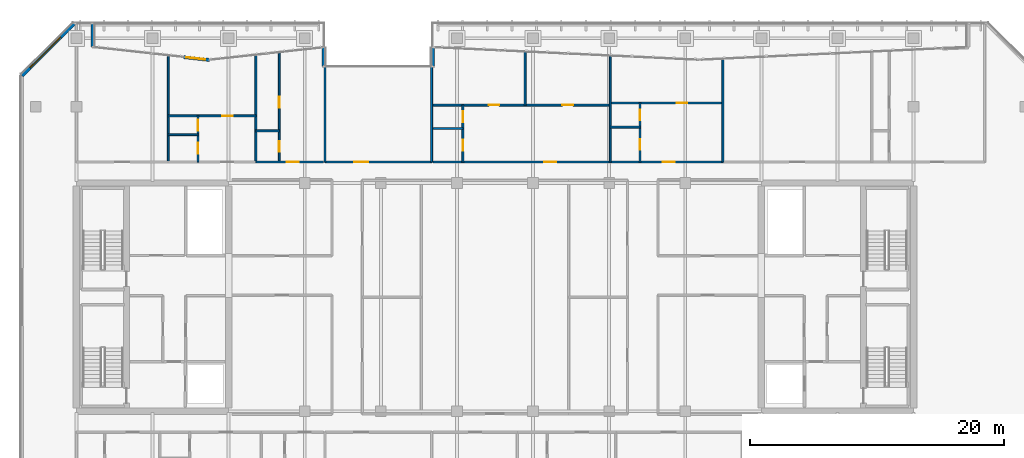
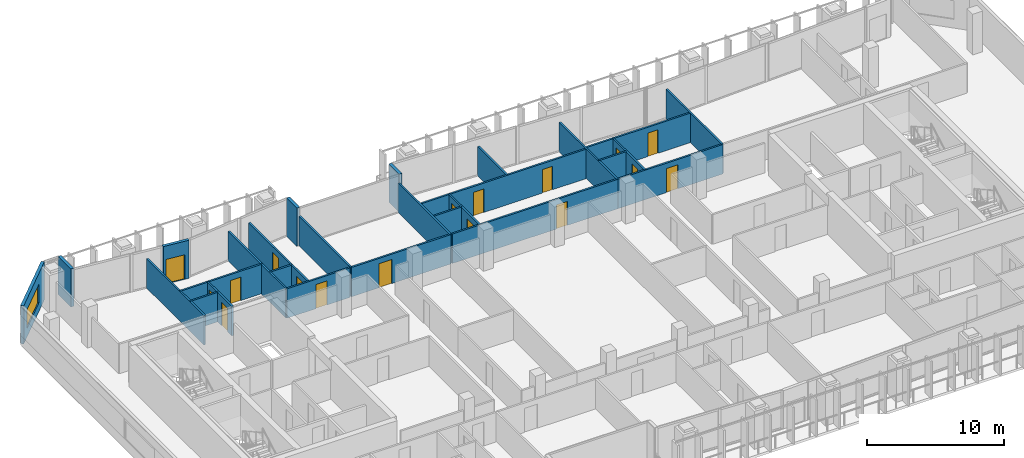
# One storey, part 21 of 28: 27 walls, 17 doors, 1 window, 18 openings.
"""IFC4 building model written with IfcOpenShell, lengths in metres."""

from ifc_helpers import new_model, si_unit, direction, frame, frame_2d, origin, place, context, subcontext, project, spatial, rectangle, extrude, material, layer, layer_set, type_object, element, fill, save


model = new_model("IFC4")

# Units and contexts
model_context = context("Model", 3, precision=1e-05, world=origin(), true_north=direction((0.0, 1.0)))
body_context = subcontext(model_context, "Body", "Model", "MODEL_VIEW")
ifc_project = project(units=[si_unit("LENGTHUNIT", "METRE"), si_unit("AREAUNIT", "SQUARE_METRE"), si_unit("VOLUMEUNIT", "CUBIC_METRE"), si_unit("PLANEANGLEUNIT", "RADIAN"), si_unit("MASSUNIT", "GRAM", prefix="KILO")], contexts=[model_context])

# Site, building, storey
site_placement = place(None, origin())
site = spatial("IfcSite", under=ifc_project, at=site_placement, CompositionType="ELEMENT")
building_placement = place(site_placement, origin())
building = spatial("IfcBuilding", under=site, at=building_placement, Name="Tanjung Sevakor Pilgrim Tower", CompositionType="ELEMENT")
storey_placement = place(building_placement, frame((0.0, 0.0, 158.39990234375)))
storey = spatial("IfcBuildingStorey", under=building, at=storey_placement, Name="L44", CompositionType="ELEMENT", Elevation=158.39990234375)

# Wall, opening, door
ifc_material_1 = material(Name="Concrete C40/50", Category="concrete")
ifc_layer_1 = layer(ifc_material_1, 0.14990234375)
ifc_layer_set_1 = layer_set([ifc_layer_1], Name="WT-COMP-150")
wall_type_1 = type_object("IfcWallType", Name="WT-COMP-150", PredefinedType="SOLIDWALL", material=ifc_layer_set_1)
wall_1_placement = place(storey_placement, frame((43.60009765625, 44.25, 0.0), z_axis=(0.0, 0.0, 1.0), x_axis=(1.0, 0.0, 0.0)))
wall_1 = element("IfcWall", 1, at=wall_1_placement, inside=storey, type_object=wall_type_1, Name="L44 Partition IW-L44-048", PredefinedType="SOLIDWALL", context=body_context, shape_type="SweptSolid", body=[
    extrude(rectangle(XDim=8.39990234375, YDim=0.14990234375, at=frame_2d((4.199951171875, 0.0))), origin(), (0.0, 0.0, 1.0), 2.6298828125),
])
opening_1_placement = place(wall_1_placement, frame((2.300048828125, 0.0, 0.0)))
opening_1 = element("IfcOpeningElement", 2, at=opening_1_placement, cuts=wall_1, Name="Opening ID-RM2", PredefinedType="OPENING", context=body_context, shape_type="SweptSolid", body=[
    extrude(rectangle(XDim=1.10009765625, YDim=2.14990234375, at=frame_2d((0.550048828125, 1.074951171875))), frame((0.0, 0.0849609375, 0.0), z_axis=(0.0, -1.0, 0.0), x_axis=(1.0, 0.0, 0.0)), (0.0, 0.0, 1.0), 0.169921875),
])
ifc_material_2 = material(Name="Hardwood Timber", Category="wood")
door_type_1 = type_object("IfcDoorType", Name="DT-INT-1100", OperationType="NOTDEFINED", PredefinedType="DOOR", material=ifc_material_2)
door_1_placement = place(opening_1_placement, origin())
door_1 = element("IfcDoor", 3, at=door_1_placement, inside=storey, type_object=door_type_1, Name="L44 North Cleft Seminar Room Door", OperationType="SINGLE_SWING_RIGHT", OverallHeight=2.14990234375, OverallWidth=1.10009765625, PredefinedType="DOOR", context=body_context, shape_type="SweptSolid", body=[
    extrude(rectangle(XDim=1.10009765625, YDim=2.14990234375, at=frame_2d((0.550048828125, 1.074951171875))), frame((0.0, 0.02490234375, 0.0), z_axis=(0.0, -1.0, 0.0), x_axis=(1.0, 0.0, 0.0)), (0.0, 0.0, 1.0), 0.050048828125),
])
fill(opening_1, door_1)

# Walls
for number, where, z_axis, x_axis, name in (
    (4, (43.60009765625, 44.25, 0.0), (0.0, 0.0, 1.0), (0.0, 1.0, 0.0), "L44 Partition IW-L44-049"),
    (5, (52.0, 44.25, 0.0), (0.0, 0.0, 1.0), (0.0, 1.0, 0.0), "L44 Partition IW-L44-050"),
):
    element("IfcWall", number, at=place(storey_placement, frame(where, z_axis=z_axis, x_axis=x_axis)), inside=storey, type_object=wall_type_1, Name=name, PredefinedType="SOLIDWALL", context=body_context, shape_type="SweptSolid", body=[
        extrude(rectangle(XDim=7.52490234375, YDim=0.14990234375, at=frame_2d((3.762451171875, 0.0))), origin(), (0.0, 0.0, 1.0), 2.6298828125),
    ])
wall_2_placement = place(storey_placement, frame((31.239501953125, 44.25, 0.0), z_axis=(0.0, 0.0, 1.0), x_axis=(0.0, 1.0, 0.0)))
element("IfcWall", 6, at=wall_2_placement, inside=storey, type_object=wall_type_1, Name="L44 Partition IW-L44-085", PredefinedType="SOLIDWALL", context=body_context, shape_type="SweptSolid", body=[
    extrude(rectangle(XDim=8.402587890625, YDim=0.14990234375, at=frame_2d((4.201171875, 0.0))), origin(), (0.0, 0.0, 1.0), 2.6298828125),
])
wall_3_placement = place(storey_placement, frame((38.1455078125, 44.25, 0.0), z_axis=(0.0, 0.0, 1.0), x_axis=(0.0, 1.0, 0.0)))
element("IfcWall", 7, at=wall_3_placement, inside=storey, type_object=wall_type_1, Name="L44 Partition IW-L44-087", PredefinedType="SOLIDWALL", context=body_context, shape_type="SweptSolid", body=[
    extrude(rectangle(XDim=8.44482421875, YDim=0.14990234375, at=frame_2d((4.222412109375, 0.0))), origin(), (0.0, 0.0, 1.0), 2.6298828125),
])

# Wall, opening, door
wall_4_placement = place(storey_placement, frame((38.1455078125, 44.25, 0.0), z_axis=(0.0, 0.0, 1.0), x_axis=(1.0, 0.0, 0.0)))
wall_4 = element("IfcWall", 8, at=wall_4_placement, inside=storey, type_object=wall_type_1, Name="L44 Partition IW-L44-094", PredefinedType="SOLIDWALL", context=body_context, shape_type="SweptSolid", body=[
    extrude(rectangle(XDim=5.33447265625, YDim=0.14990234375, at=frame_2d((2.667236328125, 0.0))), origin(), (0.0, 0.0, 1.0), 2.6298828125),
])
opening_2_placement = place(wall_4_placement, frame((2.437255859375, 0.0, 0.0)))
opening_2 = element("IfcOpeningElement", 9, at=opening_2_placement, cuts=wall_4, Name="Opening ID-FD2", PredefinedType="OPENING", context=body_context, shape_type="SweptSolid", body=[
    extrude(rectangle(XDim=0.949951171875, YDim=2.14990234375, at=frame_2d((0.47509765625, 1.074951171875))), frame((0.0, 0.0849609375, 0.0), z_axis=(0.0, -1.0, 0.0), x_axis=(1.0, 0.0, 0.0)), (0.0, 0.0, 1.0), 0.169921875),
])
ifc_material_3 = material(Name="Fire-Rated Timber", Category="wood")
door_type_2 = type_object("IfcDoorType", Name="DT-FIRE-950", OperationType="NOTDEFINED", PredefinedType="DOOR", material=ifc_material_3)
door_2_placement = place(opening_2_placement, origin())
door_2 = element("IfcDoor", 10, at=door_2_placement, inside=storey, type_object=door_type_2, Name="Hostel Quad Entrance", OperationType="SINGLE_SWING_LEFT", OverallHeight=2.14990234375, OverallWidth=0.949951171875, PredefinedType="DOOR", context=body_context, shape_type="SweptSolid", body=[
    extrude(rectangle(XDim=0.949951171875, YDim=2.14990234375, at=frame_2d((0.47509765625, 1.074951171875))), frame((0.0, 0.02490234375, 0.0), z_axis=(0.0, -1.0, 0.0), x_axis=(1.0, 0.0, 0.0)), (0.0, 0.0, 1.0), 0.050048828125),
])
fill(opening_2, door_2)

# Wall
wall_5_placement = place(storey_placement, frame((66.08447265625, 44.25, 0.0), z_axis=(0.0, 0.0, 1.0), x_axis=(0.0, 1.0, 0.0)))
element("IfcWall", 11, at=wall_5_placement, inside=storey, type_object=wall_type_1, Name="L44 Partition IW-L44-096", PredefinedType="SOLIDWALL", context=body_context, shape_type="SweptSolid", body=[
    extrude(rectangle(XDim=8.377197265625, YDim=0.14990234375, at=frame_2d((4.1884765625, 0.0))), origin(), (0.0, 0.0, 1.0), 2.6298828125),
])

# Wall, opening, door
wall_6_placement = place(storey_placement, frame((52.1201171875, 44.25, 0.0), z_axis=(0.0, 0.0, 1.0), x_axis=(1.0, 0.0, 0.0)))
wall_6 = element("IfcWall", 12, at=wall_6_placement, inside=storey, type_object=wall_type_1, Name="L44 Partition IW-L44-101", PredefinedType="SOLIDWALL", context=body_context, shape_type="SweptSolid", body=[
    extrude(rectangle(XDim=13.96435546875, YDim=0.14990234375, at=frame_2d((6.982177734375, 0.0))), origin(), (0.0, 0.0, 1.0), 2.6298828125),
])
opening_3_placement = place(wall_6_placement, frame((8.772216796875, 0.0, 0.0)))
opening_3 = element("IfcOpeningElement", 13, at=opening_3_placement, cuts=wall_6, Name="Opening ID-FD2", PredefinedType="OPENING", context=body_context, shape_type="SweptSolid", body=[
    extrude(rectangle(XDim=0.949951171875, YDim=2.14990234375, at=frame_2d((0.47509765625, 1.074951171875))), frame((0.0, 0.0849609375, 0.0), z_axis=(0.0, -1.0, 0.0), x_axis=(1.0, 0.0, 0.0)), (0.0, 0.0, 1.0), 0.169921875),
])
door_3_placement = place(opening_3_placement, origin())
door_3 = element("IfcDoor", 14, at=door_3_placement, inside=storey, type_object=door_type_2, Name="Suite Entrance", OperationType="SINGLE_SWING_RIGHT", OverallHeight=2.14990234375, OverallWidth=0.949951171875, PredefinedType="DOOR", context=body_context, shape_type="SweptSolid", body=[
    extrude(rectangle(XDim=0.949951171875, YDim=2.14990234375, at=frame_2d((0.47509765625, 1.074951171875))), frame((0.0, 0.02490234375, 0.0), z_axis=(0.0, -1.0, 0.0), x_axis=(1.0, 0.0, 0.0)), (0.0, 0.0, 1.0), 0.050048828125),
])
fill(opening_3, door_3)

# Wall
wall_7_placement = place(storey_placement, frame((74.970703125, 44.25, 0.0), z_axis=(0.0, 0.0, 1.0), x_axis=(0.0, 1.0, 0.0)))
element("IfcWall", 15, at=wall_7_placement, inside=storey, type_object=wall_type_1, Name="L44 Partition IW-L44-102", PredefinedType="SOLIDWALL", context=body_context, shape_type="SweptSolid", body=[
    extrude(rectangle(XDim=8.133544921875, YDim=0.14990234375, at=frame_2d((4.06689453125, 0.0))), origin(), (0.0, 0.0, 1.0), 2.6298828125),
])

# Wall, opening, door
wall_8_placement = place(storey_placement, frame((66.08447265625, 44.25, 0.0), z_axis=(0.0, 0.0, 1.0), x_axis=(1.0, 0.0, 0.0)))
wall_8 = element("IfcWall", 16, at=wall_8_placement, inside=storey, type_object=wall_type_1, Name="L44 Partition IW-L44-106", PredefinedType="SOLIDWALL", context=body_context, shape_type="SweptSolid", body=[
    extrude(rectangle(XDim=8.88623046875, YDim=0.14990234375, at=frame_2d((4.443115234375, 0.0))), origin(), (0.0, 0.0, 1.0), 2.6298828125),
])
opening_4_placement = place(wall_8_placement, frame((4.13330078125, 0.0, 0.0)))
opening_4 = element("IfcOpeningElement", 17, at=opening_4_placement, cuts=wall_8, Name="Opening ID-FD2", PredefinedType="OPENING", context=body_context, shape_type="SweptSolid", body=[
    extrude(rectangle(XDim=0.949951171875, YDim=2.14990234375, at=frame_2d((0.47509765625, 1.074951171875))), frame((0.0, 0.0849609375, 0.0), z_axis=(0.0, -1.0, 0.0), x_axis=(1.0, 0.0, 0.0)), (0.0, 0.0, 1.0), 0.169921875),
])
door_4_placement = place(opening_4_placement, origin())
door_4 = element("IfcDoor", 18, at=door_4_placement, inside=storey, type_object=door_type_2, Name="Residence Entrance", OperationType="SINGLE_SWING_RIGHT", OverallHeight=2.14990234375, OverallWidth=0.949951171875, PredefinedType="DOOR", context=body_context, shape_type="SweptSolid", body=[
    extrude(rectangle(XDim=0.949951171875, YDim=2.14990234375, at=frame_2d((0.47509765625, 1.074951171875))), frame((0.0, 0.02490234375, 0.0), z_axis=(0.0, -1.0, 0.0), x_axis=(1.0, 0.0, 0.0)), (0.0, 0.0, 1.0), 0.050048828125),
])
fill(opening_4, door_4)

# Walls
ifc_material_4 = material(Name="Precast concrete C45/55", Category="concrete")
ifc_layer_2 = layer(ifc_material_4, 0.25)
ifc_layer_set_2 = layer_set([ifc_layer_2], Name="WT-EW-STN3")
wall_type_2 = type_object("IfcWallType", Name="WT-EW-STN3", PredefinedType="SOLIDWALL", material=ifc_layer_set_2)
wall_9_placement = place(storey_placement, frame((52.125, 53.288818359375, 0.0), z_axis=(0.0, 0.0, 1.0), x_axis=(0.0, -1.0, 0.0)))
element("IfcWall", 19, at=wall_9_placement, inside=storey, type_object=wall_type_2, Name="L44 MAIN Exterior Wall 25", PredefinedType="SOLIDWALL", context=body_context, shape_type="SweptSolid", body=[
    extrude(rectangle(XDim=1.513916015625, YDim=0.25, at=frame_2d((0.7568359375, 0.0))), origin(), (0.0, 0.0, 1.0), 3.409912109375),
])
wall_10_placement = place(storey_placement, frame((43.47509765625, 51.77490234375, 0.0), z_axis=(0.0, 0.0, 1.0), x_axis=(0.0, 1.0, 0.0)))
element("IfcWall", 20, at=wall_10_placement, inside=storey, type_object=wall_type_2, Name="L44 MAIN Exterior Wall 27", PredefinedType="SOLIDWALL", context=body_context, shape_type="SweptSolid", body=[
    extrude(rectangle(XDim=1.505615234375, YDim=0.25, at=frame_2d((0.7529296875, 0.0))), origin(), (0.0, 0.0, 1.0), 3.409912109375),
])

# Wall, opening, door
wall_11_placement = place(storey_placement, frame((34.5, 52.294189453125, 0.0), z_axis=(0.0, 0.0, 1.0), x_axis=(-0.994011695941, 0.10927373121, 0.0)))
wall_11 = element("IfcWall", 21, at=wall_11_placement, inside=storey, type_object=wall_type_2, Name="L44 S-Curve Terrace Threshold Wall 29", PredefinedType="SOLIDWALL", context=body_context, shape_type="SweptSolid", body=[
    extrude(rectangle(XDim=2.06005859375, YDim=0.25, at=frame_2d((1.030029296875, 0.0))), origin(), (0.0, 0.0, 1.0), 3.409912109375),
])
opening_5_placement = place(wall_11_placement, frame((0.35009765625, 0.0, 0.0)))
opening_5 = element("IfcOpeningElement", 22, at=opening_5_placement, cuts=wall_11, Name="Opening ED-TER-1500", PredefinedType="OPENING", context=body_context, shape_type="SweptSolid", body=[
    extrude(rectangle(XDim=1.5, YDim=2.199951171875, at=frame_2d((0.75, 1.10009765625))), frame((0.0, 0.135009765625, 0.0), z_axis=(0.0, -1.0, 0.0), x_axis=(1.0, 0.0, 0.0)), (0.0, 0.0, 1.0), 0.27001953125),
])
ifc_material_5 = material(Name="Anodised Aluminium and Laminated Glass", Category="aluminium")
door_type_3 = type_object("IfcDoorType", Name="DTYP-ED-TER-1500", OperationType="DOUBLE_DOOR_SINGLE_SWING", PredefinedType="DOOR", material=ifc_material_5)
door_5_placement = place(opening_5_placement, frame((1.5, 0.0, 0.0), z_axis=(0.0, 0.0, 1.0), x_axis=(-1.0, 0.0, 0.0)))
door_5 = element("IfcDoor", 23, at=door_5_placement, inside=storey, type_object=door_type_3, Name="L44 S-Curve Terrace Access Door 29", OperationType="SINGLE_SWING_LEFT", OverallHeight=2.199951171875, OverallWidth=1.5, PredefinedType="DOOR", context=body_context, shape_type="SweptSolid", body=[
    extrude(rectangle(XDim=1.5, YDim=2.199951171875, at=frame_2d((0.75, 1.10009765625))), frame((0.0, 0.02490234375, 0.0), z_axis=(0.0, -1.0, 0.0), x_axis=(1.0, 0.0, 0.0)), (0.0, 0.0, 1.0), 0.050048828125),
])
fill(opening_5, door_5)

# Wall
wall_12_placement = place(storey_placement, frame((25.27490234375, 53.30810546875, 0.0), z_axis=(0.0, 0.0, 1.0), x_axis=(0.0, 1.0, 0.0)))
element("IfcWall", 24, at=wall_12_placement, inside=storey, type_object=wall_type_2, Name="L44 MAIN Exterior Wall 32", PredefinedType="SOLIDWALL", context=body_context, shape_type="SweptSolid", body=[
    extrude(rectangle(XDim=1.866943359375, YDim=0.25, at=frame_2d((0.93359375, 0.0))), origin(), (0.0, 0.0, 1.0), 3.409912109375),
])

# Wall, opening, window
wall_13_placement = place(storey_placement, frame((23.851806640625, 55.175048828125, 0.0), z_axis=(0.0, 0.0, 1.0), x_axis=(-0.70708586489, -0.707127696864, 0.0)))
wall_13 = element("IfcWall", 25, at=wall_13_placement, inside=storey, type_object=wall_type_2, Name="L44 MAIN Sculpted Corner Wall 33", PredefinedType="SOLIDWALL", context=body_context, shape_type="SweptSolid", body=[
    extrude(rectangle(XDim=5.836181640625, YDim=0.25, at=frame_2d((2.91796875, 0.0))), origin(), (0.0, 0.0, 1.0), 3.409912109375),
])
opening_6_placement = place(wall_13_placement, frame((1.5380859375, 0.0, 0.780029296875)))
opening_6 = element("IfcOpeningElement", 26, at=opening_6_placement, cuts=wall_13, Name="Opening WN-CHM-1660", PredefinedType="OPENING", context=body_context, shape_type="SweptSolid", body=[
    extrude(rectangle(XDim=3.39990234375, YDim=1.659912109375, at=frame_2d((1.699951171875, 0.830078125))), frame((0.0, 0.135009765625, 0.0), z_axis=(0.0, -1.0, 0.0), x_axis=(1.0, 0.0, 0.0)), (0.0, 0.0, 1.0), 0.27001953125),
])
ifc_material_6 = material(Name="Thermally Broken Aluminium and Low-E Glass", Category="aluminium")
window_type = type_object("IfcWindowType", Name="WTYP-WN-CHM-1660", PartitioningType="DOUBLE_PANEL_VERTICAL", PredefinedType="WINDOW", material=ifc_material_6)
window_placement = place(opening_6_placement, origin())
window = element("IfcWindow", 27, at=window_placement, inside=storey, type_object=window_type, Name="L44 Facade Window 01", OverallHeight=1.659912109375, OverallWidth=3.39990234375, PartitioningType="SINGLE_PANEL", PredefinedType="WINDOW", context=body_context, shape_type="SweptSolid", body=[
    extrude(rectangle(XDim=3.39990234375, YDim=1.659912109375, at=frame_2d((1.699951171875, 0.830078125))), frame((0.0, 0.030029296875, 0.0), z_axis=(0.0, -1.0, 0.0), x_axis=(1.0, 0.0, 0.0)), (0.0, 0.0, 1.0), 0.06005859375),
])
fill(opening_6, window)

# Wall
ifc_material_7 = material(Name="Gypsum Board Partition", Category="gypsum board")
ifc_layer_3 = layer(ifc_material_7, 0.14990234375)
ifc_layer_set_3 = layer_set([ifc_layer_3], Name="WT-PART-150")
wall_type_3 = type_object("IfcWallType", Name="WT-PART-150", PredefinedType="PARTITIONING", material=ifc_layer_set_3)
wall_14_placement = place(storey_placement, frame((31.239501953125, 46.39697265625, 0.0), z_axis=(0.0, 0.0, 1.0), x_axis=(1.0, 0.0, 0.0)))
element("IfcWall", 28, at=wall_14_placement, inside=storey, type_object=wall_type_3, Name="L44 Partition IW-L44-088", PredefinedType="PARTITIONING", context=body_context, shape_type="SweptSolid", body=[
    extrude(rectangle(XDim=2.34814453125, YDim=0.14990234375, at=frame_2d((1.174072265625, 0.0))), origin(), (0.0, 0.0, 1.0), 2.6298828125),
])

# Wall, openings, doors
wall_15_placement = place(storey_placement, frame((33.587646484375, 44.25, 0.0), z_axis=(0.0, 0.0, 1.0), x_axis=(0.0, 1.0, 0.0)))
wall_15 = element("IfcWall", 29, at=wall_15_placement, inside=storey, type_object=wall_type_3, Name="L44 Partition IW-L44-089", PredefinedType="PARTITIONING", context=body_context, shape_type="SweptSolid", body=[
    extrude(rectangle(XDim=3.638916015625, YDim=0.14990234375, at=frame_2d((1.8193359375, 0.0))), origin(), (0.0, 0.0, 1.0), 2.6298828125),
])
opening_7_placement = place(wall_15_placement, frame((0.6484375, 0.0, 0.0)))
opening_7 = element("IfcOpeningElement", 30, at=opening_7_placement, cuts=wall_15, Name="Opening ID-WC1", PredefinedType="OPENING", context=body_context, shape_type="SweptSolid", body=[
    extrude(rectangle(XDim=0.85009765625, YDim=2.10009765625, at=frame_2d((0.425048828125, 1.050048828125))), frame((0.0, 0.0849609375, 0.0), z_axis=(0.0, -1.0, 0.0), x_axis=(1.0, 0.0, 0.0)), (0.0, 0.0, 1.0), 0.169921875),
])
opening_8_placement = place(wall_15_placement, frame((2.468017578125, 0.0, 0.0)))
opening_8 = element("IfcOpeningElement", 31, at=opening_8_placement, cuts=wall_15, Name="Opening ID-WC1", PredefinedType="OPENING", context=body_context, shape_type="SweptSolid", body=[
    extrude(rectangle(XDim=0.85009765625, YDim=2.10009765625, at=frame_2d((0.425048828125, 1.050048828125))), frame((0.0, 0.0849609375, 0.0), z_axis=(0.0, -1.0, 0.0), x_axis=(1.0, 0.0, 0.0)), (0.0, 0.0, 1.0), 0.169921875),
])
ifc_material_8 = material(Name="Moisture-Resistant Timber", Category="wood")
door_type_4 = type_object("IfcDoorType", Name="DT-INT-850", OperationType="NOTDEFINED", PredefinedType="DOOR", material=ifc_material_8)
door_6_placement = place(opening_7_placement, origin())
door_6 = element("IfcDoor", 32, at=door_6_placement, inside=storey, type_object=door_type_4, Name="Residence Kitchenette Door", OperationType="SINGLE_SWING_LEFT", OverallHeight=2.10009765625, OverallWidth=0.85009765625, PredefinedType="DOOR", context=body_context, shape_type="SweptSolid", body=[
    extrude(rectangle(XDim=0.85009765625, YDim=2.10009765625, at=frame_2d((0.425048828125, 1.050048828125))), frame((0.0, 0.02490234375, 0.0), z_axis=(0.0, -1.0, 0.0), x_axis=(1.0, 0.0, 0.0)), (0.0, 0.0, 1.0), 0.050048828125),
])
fill(opening_7, door_6)
door_7_placement = place(opening_8_placement, origin())
door_7 = element("IfcDoor", 33, at=door_7_placement, inside=storey, type_object=door_type_4, Name="Residence Bathroom Door", OperationType="SINGLE_SWING_RIGHT", OverallHeight=2.10009765625, OverallWidth=0.85009765625, PredefinedType="DOOR", context=body_context, shape_type="SweptSolid", body=[
    extrude(rectangle(XDim=0.85009765625, YDim=2.10009765625, at=frame_2d((0.425048828125, 1.050048828125))), frame((0.0, 0.02490234375, 0.0), z_axis=(0.0, -1.0, 0.0), x_axis=(1.0, 0.0, 0.0)), (0.0, 0.0, 1.0), 0.050048828125),
])
fill(opening_8, door_7)

# Wall, opening, door
wall_16_placement = place(storey_placement, frame((31.239501953125, 47.888916015625, 0.0), z_axis=(0.0, 0.0, 1.0), x_axis=(1.0, 0.0, 0.0)))
wall_16 = element("IfcWall", 34, at=wall_16_placement, inside=storey, type_object=wall_type_3, Name="L44 Partition IW-L44-090", PredefinedType="PARTITIONING", context=body_context, shape_type="SweptSolid", body=[
    extrude(rectangle(XDim=6.906005859375, YDim=0.14990234375, at=frame_2d((3.453125, 0.0))), origin(), (0.0, 0.0, 1.0), 2.6298828125),
])
opening_9_placement = place(wall_16_placement, frame((4.2421875, 0.0, 0.0)))
opening_9 = element("IfcOpeningElement", 35, at=opening_9_placement, cuts=wall_16, Name="Opening ID-WC1", PredefinedType="OPENING", context=body_context, shape_type="SweptSolid", body=[
    extrude(rectangle(XDim=0.85009765625, YDim=2.10009765625, at=frame_2d((0.425048828125, 1.050048828125))), frame((0.0, 0.0849609375, 0.0), z_axis=(0.0, -1.0, 0.0), x_axis=(1.0, 0.0, 0.0)), (0.0, 0.0, 1.0), 0.169921875),
])
door_8_placement = place(opening_9_placement, origin())
door_8 = element("IfcDoor", 36, at=door_8_placement, inside=storey, type_object=door_type_4, Name="Residence Bedroom Door", OperationType="SINGLE_SWING_LEFT", OverallHeight=2.10009765625, OverallWidth=0.85009765625, PredefinedType="DOOR", context=body_context, shape_type="SweptSolid", body=[
    extrude(rectangle(XDim=0.85009765625, YDim=2.10009765625, at=frame_2d((0.425048828125, 1.050048828125))), frame((0.0, 0.02490234375, 0.0), z_axis=(0.0, -1.0, 0.0), x_axis=(1.0, 0.0, 0.0)), (0.0, 0.0, 1.0), 0.050048828125),
])
fill(opening_9, door_8)

# Wall
wall_17_placement = place(storey_placement, frame((38.1455078125, 46.699951171875, 0.0), z_axis=(0.0, 0.0, 1.0), x_axis=(1.0, 0.0, 0.0)))
element("IfcWall", 37, at=wall_17_placement, inside=storey, type_object=wall_type_3, Name="L44 Partition IW-L44-092", PredefinedType="PARTITIONING", context=body_context, shape_type="SweptSolid", body=[
    extrude(rectangle(XDim=1.85009765625, YDim=0.14990234375, at=frame_2d((0.925048828125, 0.0))), origin(), (0.0, 0.0, 1.0), 2.6298828125),
])

# Wall, openings, doors
wall_18_placement = place(storey_placement, frame((39.99560546875, 44.25, 0.0), z_axis=(0.0, 0.0, 1.0), x_axis=(0.0, 1.0, 0.0)))
wall_18 = element("IfcWall", 38, at=wall_18_placement, inside=storey, type_object=wall_type_3, Name="L44 Partition IW-L44-093", PredefinedType="PARTITIONING", context=body_context, shape_type="SweptSolid", body=[
    extrude(rectangle(XDim=8.648193359375, YDim=0.14990234375, at=frame_2d((4.32421875, 0.0))), origin(), (0.0, 0.0, 1.0), 2.6298828125),
])
opening_10_placement = place(wall_18_placement, frame((0.800048828125, 0.0, 0.0)))
opening_10 = element("IfcOpeningElement", 39, at=opening_10_placement, cuts=wall_18, Name="Opening ID-WC1", PredefinedType="OPENING", context=body_context, shape_type="SweptSolid", body=[
    extrude(rectangle(XDim=0.85009765625, YDim=2.10009765625, at=frame_2d((0.425048828125, 1.050048828125))), frame((0.0, 0.0849609375, 0.0), z_axis=(0.0, -1.0, 0.0), x_axis=(1.0, 0.0, 0.0)), (0.0, 0.0, 1.0), 0.169921875),
])
opening_11_placement = place(wall_18_placement, frame((4.2900390625, 0.0, 0.0)))
opening_11 = element("IfcOpeningElement", 40, at=opening_11_placement, cuts=wall_18, Name="Opening ID-WC1", PredefinedType="OPENING", context=body_context, shape_type="SweptSolid", body=[
    extrude(rectangle(XDim=0.85009765625, YDim=2.10009765625, at=frame_2d((0.425048828125, 1.050048828125))), frame((0.0, 0.0849609375, 0.0), z_axis=(0.0, -1.0, 0.0), x_axis=(1.0, 0.0, 0.0)), (0.0, 0.0, 1.0), 0.169921875),
])
door_9_placement = place(opening_10_placement, origin())
door_9 = element("IfcDoor", 41, at=door_9_placement, inside=storey, type_object=door_type_4, Name="Bathroom Door", OperationType="SINGLE_SWING_LEFT", OverallHeight=2.10009765625, OverallWidth=0.85009765625, PredefinedType="DOOR", context=body_context, shape_type="SweptSolid", body=[
    extrude(rectangle(XDim=0.85009765625, YDim=2.10009765625, at=frame_2d((0.425048828125, 1.050048828125))), frame((0.0, 0.02490234375, 0.0), z_axis=(0.0, -1.0, 0.0), x_axis=(1.0, 0.0, 0.0)), (0.0, 0.0, 1.0), 0.050048828125),
])
fill(opening_10, door_9)
door_10_placement = place(opening_11_placement, origin())
door_10 = element("IfcDoor", 42, at=door_10_placement, inside=storey, type_object=door_type_4, Name="Study Nook Door", OperationType="SINGLE_SWING_RIGHT", OverallHeight=2.10009765625, OverallWidth=0.85009765625, PredefinedType="DOOR", context=body_context, shape_type="SweptSolid", body=[
    extrude(rectangle(XDim=0.85009765625, YDim=2.10009765625, at=frame_2d((0.425048828125, 1.050048828125))), frame((0.0, 0.02490234375, 0.0), z_axis=(0.0, -1.0, 0.0), x_axis=(1.0, 0.0, 0.0)), (0.0, 0.0, 1.0), 0.050048828125),
])
fill(opening_11, door_10)

# Wall
wall_19_placement = place(storey_placement, frame((52.1201171875, 46.89501953125, 0.0), z_axis=(0.0, 0.0, 1.0), x_axis=(1.0, 0.0, 0.0)))
element("IfcWall", 43, at=wall_19_placement, inside=storey, type_object=wall_type_3, Name="L44 Partition IW-L44-097", PredefinedType="PARTITIONING", context=body_context, shape_type="SweptSolid", body=[
    extrude(rectangle(XDim=2.349853515625, YDim=0.14990234375, at=frame_2d((1.1748046875, 0.0))), origin(), (0.0, 0.0, 1.0), 2.6298828125),
])

# Wall, openings, doors
wall_20_placement = place(storey_placement, frame((54.469970703125, 44.25, 0.0), z_axis=(0.0, 0.0, 1.0), x_axis=(0.0, 1.0, 0.0)))
wall_20 = element("IfcWall", 44, at=wall_20_placement, inside=storey, type_object=wall_type_3, Name="L44 Partition IW-L44-098", PredefinedType="PARTITIONING", context=body_context, shape_type="SweptSolid", body=[
    extrude(rectangle(XDim=4.48291015625, YDim=0.14990234375, at=frame_2d((2.241455078125, 0.0))), origin(), (0.0, 0.0, 1.0), 2.6298828125),
])
opening_12_placement = place(wall_20_placement, frame((0.8974609375, 0.0, 0.0)))
opening_12 = element("IfcOpeningElement", 45, at=opening_12_placement, cuts=wall_20, Name="Opening ID-WC1", PredefinedType="OPENING", context=body_context, shape_type="SweptSolid", body=[
    extrude(rectangle(XDim=0.85009765625, YDim=2.10009765625, at=frame_2d((0.425048828125, 1.050048828125))), frame((0.0, 0.0849609375, 0.0), z_axis=(0.0, -1.0, 0.0), x_axis=(1.0, 0.0, 0.0)), (0.0, 0.0, 1.0), 0.169921875),
])
opening_13_placement = place(wall_20_placement, frame((3.138916015625, 0.0, 0.0)))
opening_13 = element("IfcOpeningElement", 46, at=opening_13_placement, cuts=wall_20, Name="Opening ID-WC1", PredefinedType="OPENING", context=body_context, shape_type="SweptSolid", body=[
    extrude(rectangle(XDim=0.85009765625, YDim=2.10009765625, at=frame_2d((0.425048828125, 1.050048828125))), frame((0.0, 0.0849609375, 0.0), z_axis=(0.0, -1.0, 0.0), x_axis=(1.0, 0.0, 0.0)), (0.0, 0.0, 1.0), 0.169921875),
])
door_11_placement = place(opening_12_placement, origin())
door_11 = element("IfcDoor", 47, at=door_11_placement, inside=storey, type_object=door_type_4, Name="Suite Kitchenette Door", OperationType="SINGLE_SWING_RIGHT", OverallHeight=2.10009765625, OverallWidth=0.85009765625, PredefinedType="DOOR", context=body_context, shape_type="SweptSolid", body=[
    extrude(rectangle(XDim=0.85009765625, YDim=2.10009765625, at=frame_2d((0.425048828125, 1.050048828125))), frame((0.0, 0.02490234375, 0.0), z_axis=(0.0, -1.0, 0.0), x_axis=(1.0, 0.0, 0.0)), (0.0, 0.0, 1.0), 0.050048828125),
])
fill(opening_12, door_11)
door_12_placement = place(opening_13_placement, origin())
door_12 = element("IfcDoor", 48, at=door_12_placement, inside=storey, type_object=door_type_4, Name="Suite Bathroom Door", OperationType="SINGLE_SWING_LEFT", OverallHeight=2.10009765625, OverallWidth=0.85009765625, PredefinedType="DOOR", context=body_context, shape_type="SweptSolid", body=[
    extrude(rectangle(XDim=0.85009765625, YDim=2.10009765625, at=frame_2d((0.425048828125, 1.050048828125))), frame((0.0, 0.02490234375, 0.0), z_axis=(0.0, -1.0, 0.0), x_axis=(1.0, 0.0, 0.0)), (0.0, 0.0, 1.0), 0.050048828125),
])
fill(opening_13, door_12)

# Wall
wall_21_placement = place(storey_placement, frame((59.381591796875, 48.73291015625, 0.0), z_axis=(0.0, 0.0, 1.0), x_axis=(0.0, 1.0, 0.0)))
element("IfcWall", 49, at=wall_21_placement, inside=storey, type_object=wall_type_3, Name="L44 Partition IW-L44-099", PredefinedType="PARTITIONING", context=body_context, shape_type="SweptSolid", body=[
    extrude(rectangle(XDim=4.212158203125, YDim=0.14990234375, at=frame_2d((2.10595703125, 0.0))), origin(), (0.0, 0.0, 1.0), 2.6298828125),
])

# Wall, openings, doors
wall_22_placement = place(storey_placement, frame((52.1201171875, 48.73291015625, 0.0), z_axis=(0.0, 0.0, 1.0), x_axis=(1.0, 0.0, 0.0)))
wall_22 = element("IfcWall", 50, at=wall_22_placement, inside=storey, type_object=wall_type_3, Name="L44 Partition IW-L44-100", PredefinedType="PARTITIONING", context=body_context, shape_type="SweptSolid", body=[
    extrude(rectangle(XDim=13.96435546875, YDim=0.14990234375, at=frame_2d((6.982177734375, 0.0))), origin(), (0.0, 0.0, 1.0), 2.6298828125),
])
opening_14_placement = place(wall_22_placement, frame((4.380859375, 0.0, 0.0)))
opening_14 = element("IfcOpeningElement", 51, at=opening_14_placement, cuts=wall_22, Name="Opening ID-WC1", PredefinedType="OPENING", context=body_context, shape_type="SweptSolid", body=[
    extrude(rectangle(XDim=0.85009765625, YDim=2.10009765625, at=frame_2d((0.425048828125, 1.050048828125))), frame((0.0, 0.0849609375, 0.0), z_axis=(0.0, -1.0, 0.0), x_axis=(1.0, 0.0, 0.0)), (0.0, 0.0, 1.0), 0.169921875),
])
opening_15_placement = place(wall_22_placement, frame((10.18798828125, 0.0, 0.0)))
opening_15 = element("IfcOpeningElement", 52, at=opening_15_placement, cuts=wall_22, Name="Opening ID-WC1", PredefinedType="OPENING", context=body_context, shape_type="SweptSolid", body=[
    extrude(rectangle(XDim=0.85009765625, YDim=2.10009765625, at=frame_2d((0.425048828125, 1.050048828125))), frame((0.0, 0.0849609375, 0.0), z_axis=(0.0, -1.0, 0.0), x_axis=(1.0, 0.0, 0.0)), (0.0, 0.0, 1.0), 0.169921875),
])
door_13_placement = place(opening_14_placement, origin())
door_13 = element("IfcDoor", 53, at=door_13_placement, inside=storey, type_object=door_type_4, Name="Suite Bedroom 1 Door", OperationType="SINGLE_SWING_RIGHT", OverallHeight=2.10009765625, OverallWidth=0.85009765625, PredefinedType="DOOR", context=body_context, shape_type="SweptSolid", body=[
    extrude(rectangle(XDim=0.85009765625, YDim=2.10009765625, at=frame_2d((0.425048828125, 1.050048828125))), frame((0.0, 0.02490234375, 0.0), z_axis=(0.0, -1.0, 0.0), x_axis=(1.0, 0.0, 0.0)), (0.0, 0.0, 1.0), 0.050048828125),
])
fill(opening_14, door_13)
door_14_placement = place(opening_15_placement, origin())
door_14 = element("IfcDoor", 54, at=door_14_placement, inside=storey, type_object=door_type_4, Name="Suite Bedroom 2 Door", OperationType="SINGLE_SWING_LEFT", OverallHeight=2.10009765625, OverallWidth=0.85009765625, PredefinedType="DOOR", context=body_context, shape_type="SweptSolid", body=[
    extrude(rectangle(XDim=0.85009765625, YDim=2.10009765625, at=frame_2d((0.425048828125, 1.050048828125))), frame((0.0, 0.02490234375, 0.0), z_axis=(0.0, -1.0, 0.0), x_axis=(1.0, 0.0, 0.0)), (0.0, 0.0, 1.0), 0.050048828125),
])
fill(opening_15, door_14)

# Wall
wall_23_placement = place(storey_placement, frame((66.08447265625, 46.99462890625, 0.0), z_axis=(0.0, 0.0, 1.0), x_axis=(1.0, 0.0, 0.0)))
element("IfcWall", 55, at=wall_23_placement, inside=storey, type_object=wall_type_3, Name="L44 Partition IW-L44-103", PredefinedType="PARTITIONING", context=body_context, shape_type="SweptSolid", body=[
    extrude(rectangle(XDim=2.349853515625, YDim=0.14990234375, at=frame_2d((1.1748046875, 0.0))), origin(), (0.0, 0.0, 1.0), 2.6298828125),
])

# Wall, openings, doors
wall_24_placement = place(storey_placement, frame((68.434326171875, 44.25, 0.0), z_axis=(0.0, 0.0, 1.0), x_axis=(0.0, 1.0, 0.0)))
wall_24 = element("IfcWall", 56, at=wall_24_placement, inside=storey, type_object=wall_type_3, Name="L44 Partition IW-L44-104", PredefinedType="PARTITIONING", context=body_context, shape_type="SweptSolid", body=[
    extrude(rectangle(XDim=4.652099609375, YDim=0.14990234375, at=frame_2d((2.326171875, 0.0))), origin(), (0.0, 0.0, 1.0), 2.6298828125),
])
opening_16_placement = place(wall_24_placement, frame((0.947509765625, 0.0, 0.0)))
opening_16 = element("IfcOpeningElement", 57, at=opening_16_placement, cuts=wall_24, Name="Opening ID-WC1", PredefinedType="OPENING", context=body_context, shape_type="SweptSolid", body=[
    extrude(rectangle(XDim=0.85009765625, YDim=2.10009765625, at=frame_2d((0.425048828125, 1.050048828125))), frame((0.0, 0.0849609375, 0.0), z_axis=(0.0, -1.0, 0.0), x_axis=(1.0, 0.0, 0.0)), (0.0, 0.0, 1.0), 0.169921875),
])
opening_17_placement = place(wall_24_placement, frame((3.2734375, 0.0, 0.0)))
opening_17 = element("IfcOpeningElement", 58, at=opening_17_placement, cuts=wall_24, Name="Opening ID-WC1", PredefinedType="OPENING", context=body_context, shape_type="SweptSolid", body=[
    extrude(rectangle(XDim=0.85009765625, YDim=2.10009765625, at=frame_2d((0.425048828125, 1.050048828125))), frame((0.0, 0.0849609375, 0.0), z_axis=(0.0, -1.0, 0.0), x_axis=(1.0, 0.0, 0.0)), (0.0, 0.0, 1.0), 0.169921875),
])
door_15_placement = place(opening_16_placement, origin())
door_15 = element("IfcDoor", 59, at=door_15_placement, inside=storey, type_object=door_type_4, Name="Residence Kitchenette Door", OperationType="SINGLE_SWING_LEFT", OverallHeight=2.10009765625, OverallWidth=0.85009765625, PredefinedType="DOOR", context=body_context, shape_type="SweptSolid", body=[
    extrude(rectangle(XDim=0.85009765625, YDim=2.10009765625, at=frame_2d((0.425048828125, 1.050048828125))), frame((0.0, 0.02490234375, 0.0), z_axis=(0.0, -1.0, 0.0), x_axis=(1.0, 0.0, 0.0)), (0.0, 0.0, 1.0), 0.050048828125),
])
fill(opening_16, door_15)
door_16_placement = place(opening_17_placement, origin())
door_16 = element("IfcDoor", 60, at=door_16_placement, inside=storey, type_object=door_type_4, Name="Residence Bathroom Door", OperationType="SINGLE_SWING_RIGHT", OverallHeight=2.10009765625, OverallWidth=0.85009765625, PredefinedType="DOOR", context=body_context, shape_type="SweptSolid", body=[
    extrude(rectangle(XDim=0.85009765625, YDim=2.10009765625, at=frame_2d((0.425048828125, 1.050048828125))), frame((0.0, 0.02490234375, 0.0), z_axis=(0.0, -1.0, 0.0), x_axis=(1.0, 0.0, 0.0)), (0.0, 0.0, 1.0), 0.050048828125),
])
fill(opening_17, door_16)

# Wall, opening, door
wall_25_placement = place(storey_placement, frame((66.08447265625, 48.902099609375, 0.0), z_axis=(0.0, 0.0, 1.0), x_axis=(1.0, 0.0, 0.0)))
wall_25 = element("IfcWall", 61, at=wall_25_placement, inside=storey, type_object=wall_type_3, Name="L44 Partition IW-L44-105", PredefinedType="PARTITIONING", context=body_context, shape_type="SweptSolid", body=[
    extrude(rectangle(XDim=8.88623046875, YDim=0.14990234375, at=frame_2d((4.443115234375, 0.0))), origin(), (0.0, 0.0, 1.0), 2.6298828125),
])
opening_18_placement = place(wall_25_placement, frame((5.233154296875, 0.0, 0.0)))
opening_18 = element("IfcOpeningElement", 62, at=opening_18_placement, cuts=wall_25, Name="Opening ID-WC1", PredefinedType="OPENING", context=body_context, shape_type="SweptSolid", body=[
    extrude(rectangle(XDim=0.85009765625, YDim=2.10009765625, at=frame_2d((0.425048828125, 1.050048828125))), frame((0.0, 0.0849609375, 0.0), z_axis=(0.0, -1.0, 0.0), x_axis=(1.0, 0.0, 0.0)), (0.0, 0.0, 1.0), 0.169921875),
])
door_17_placement = place(opening_18_placement, origin())
door_17 = element("IfcDoor", 63, at=door_17_placement, inside=storey, type_object=door_type_4, Name="Residence Bedroom Door", OperationType="SINGLE_SWING_LEFT", OverallHeight=2.10009765625, OverallWidth=0.85009765625, PredefinedType="DOOR", context=body_context, shape_type="SweptSolid", body=[
    extrude(rectangle(XDim=0.85009765625, YDim=2.10009765625, at=frame_2d((0.425048828125, 1.050048828125))), frame((0.0, 0.02490234375, 0.0), z_axis=(0.0, -1.0, 0.0), x_axis=(1.0, 0.0, 0.0)), (0.0, 0.0, 1.0), 0.050048828125),
])
fill(opening_18, door_17)

save(model, "model.ifc")
